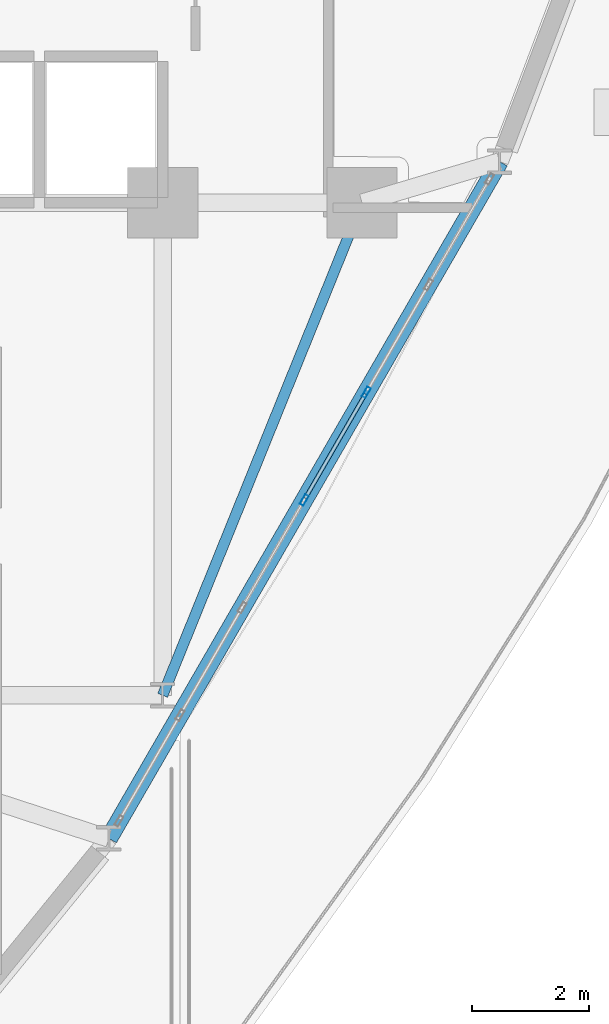
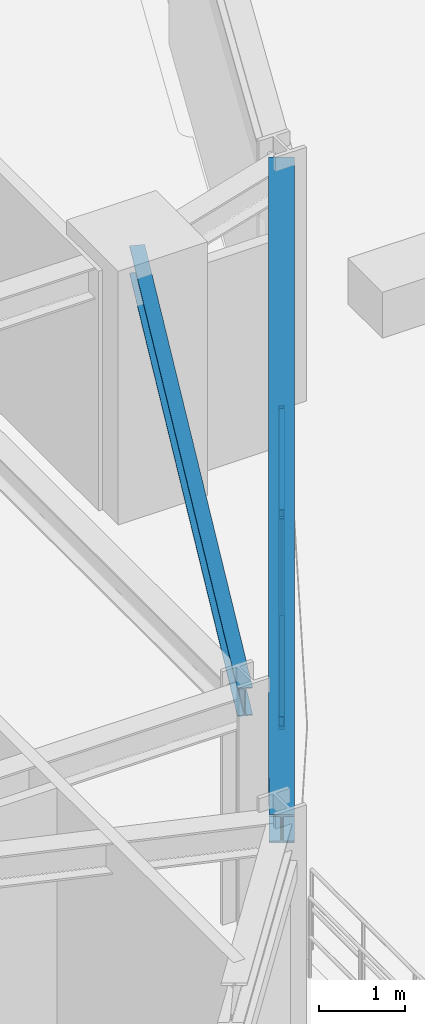
# One storey, part 7 of 18: 4 members, 2 beams, 1 element without a shape of its own.
"""IFC4 building model written with IfcOpenShell, lengths in metres."""

from ifc_helpers import new_model, si_unit, derived_unit, direction, frame, origin, origin_2d, place, context, subcontext, project, spatial, hollow_rectangle, i_section, extrude, source, transform, mapped, material, layer, layer_set, material_profile, profile_set, type_object, element, aggregate, save


model = new_model("IFC4")

# Units and contexts
model_context = context("Model", 3, precision=1e-05, world=origin(), true_north=direction((0.0, 1.0)))
body_context = subcontext(model_context, "Body", "Model", "MODEL_VIEW")
ifc_project = project(units=[si_unit("LENGTHUNIT", "METRE"), si_unit("AREAUNIT", "SQUARE_METRE"), si_unit("VOLUMEUNIT", "CUBIC_METRE"), si_unit("PLANEANGLEUNIT", "RADIAN"), si_unit("MASSUNIT", "GRAM", prefix="KILO"), derived_unit("THERMALTRANSMITTANCEUNIT", [(si_unit("POWERUNIT", "WATT"), 1), (si_unit("LENGTHUNIT", "METRE"), -2), (si_unit("THERMODYNAMICTEMPERATUREUNIT", "KELVIN"), -1)])], contexts=[model_context])

# Site, building, storey
site_placement = place(None, origin())
site = spatial("IfcSite", under=ifc_project, at=site_placement, CompositionType="ELEMENT")
building_placement = place(site_placement, origin())
building = spatial("IfcBuilding", under=site, at=building_placement, Name="Korsvarv Bourse and Concert Hall", CompositionType="ELEMENT")
storey_placement = place(building_placement, frame((0.0, 0.0, 136.199951171875)))
storey = spatial("IfcBuildingStorey", under=building, at=storey_placement, Name="L34", CompositionType="ELEMENT", Elevation=136.199951171875)

# Beams
ifc_material_1 = material(Name="Steel S355", Category="steel")
ifc_material_profile_1 = material_profile(ifc_material_1, i_section(OverallWidth=0.179931640625, OverallDepth=0.39990234375, WebThickness=0.008544921875, FlangeThickness=0.013427734375, FilletRadius=0.02099609375, at=origin_2d()), Name="IPE 400")
ifc_profile_set_1 = profile_set([ifc_material_profile_1], Name="Steel S355")
beam_type_1 = type_object("IfcBeamType", Name="BM-IPE400", PredefinedType="JOIST", material=ifc_profile_set_1)
shared_shape_1 = source(origin(), body_context, "Body", "SweptSolid", [
    extrude(i_section(OverallWidth=0.179931640625, OverallDepth=0.39990234375, WebThickness=0.008544921875, FlangeThickness=0.013427734375, FilletRadius=0.02099609375, at=origin_2d()), origin(), (0.0, 0.0, 1.0), 9.06201171875),
])
beam_1_placement = place(storey_placement, frame((47.800048828125, 32.39990234375, 3.199951171875), z_axis=(-0.375210394783, -0.926939674222, 0.0), x_axis=(0.926939674222, -0.375210394783, 0.0)))
element("IfcBeam", 1, at=beam_1_placement, inside=storey, type_object=beam_type_1, Name="L34 beam J-05", PredefinedType="JOIST", context=body_context, shape_type="MappedRepresentation", body=[
    mapped(shared_shape_1, transform((0.0, 0.0, 0.0), scale=1.0)),
])
ifc_material_profile_2 = material_profile(ifc_material_1, i_section(OverallWidth=0.300048828125, OverallDepth=0.39990234375, WebThickness=0.013427734375, FlangeThickness=0.02392578125, FilletRadius=0.02099609375, at=origin_2d()), Name="HEB 400")
ifc_profile_set_2 = profile_set([ifc_material_profile_2], Name="Steel S355")
beam_type_2 = type_object("IfcBeamType", Name="BM-HEB400", PredefinedType="SPANDREL", material=ifc_profile_set_2)
shared_shape_2 = source(origin(), body_context, "Body", "SweptSolid", [
    extrude(i_section(OverallWidth=0.300048828125, OverallDepth=0.39990234375, WebThickness=0.013427734375, FlangeThickness=0.02392578125, FilletRadius=0.02099609375, at=origin_2d()), origin(), (0.0, 0.0, 1.0), 13.327392578125),
])
beam_2_placement = place(storey_placement, frame((43.482421875, 21.560546875, 3.199951171875), z_axis=(0.499988853166, 0.866031839316, 0.0), x_axis=(-0.866031839316, 0.499988853166, 0.0)))
element("IfcBeam", 2, at=beam_2_placement, inside=storey, type_object=beam_type_2, Name="L34 beam B-09", PredefinedType="SPANDREL", context=body_context, shape_type="MappedRepresentation", body=[
    mapped(shared_shape_2, transform((0.0, 0.0, 0.0), scale=1.0)),
])

# Curtain wall, members
ifc_material_2 = material(Name="Anodised aluminium and triple low-E glazing", Category="glass")
ifc_layer = layer(ifc_material_2, 0.2099609375)
ifc_layer_set = layer_set([ifc_layer], Name="Anodised aluminium and triple low-E glazing")
curtain_wall_type = type_object("IfcCurtainWallType", Name="CW-SYS-2", PredefinedType="NOTDEFINED", material=ifc_layer_set)
curtain_wall_placement = place(storey_placement, origin())
curtain_wall = element("IfcCurtainWall", 3, at=curtain_wall_placement, inside=storey, type_object=curtain_wall_type, Name="L34 CW2 curtain wall CW-L34-F11", PredefinedType="NOTDEFINED")
ifc_material_3 = material(Name="Extruded aluminium EN AW-6063 T66", Category="aluminium")
ifc_material_profile_3 = material_profile(ifc_material_3, hollow_rectangle(XDim=0.070068359375, YDim=0.18994140625, WallThickness=0.0048828125, at=origin_2d()), Name="ALU-M 70x190")
ifc_profile_set_3 = profile_set([ifc_material_profile_3], Name="Extruded aluminium EN AW-6063 T66")
member_type_1 = type_object("IfcMemberType", Name="CWM-190", PredefinedType="MULLION", material=ifc_profile_set_3)
shared_shape_3 = source(origin(), body_context, "Body", "SweptSolid", [
    extrude(hollow_rectangle(XDim=0.070068359375, YDim=0.18994140625, WallThickness=0.0048828125, at=origin_2d()), origin(), (0.0, 0.0, 1.0), 3.0),
])
member_1_placement = place(storey_placement, frame((46.814208984375, 27.33154296875, 0.0), z_axis=(0.0, 0.0, 1.0), x_axis=(-0.866025213439, 0.500000329688, 0.0)))
member_1 = element("IfcMember", 4, at=member_1_placement, type_object=member_type_1, Name="CW2 mullion 4", PredefinedType="MULLION", context=body_context, shape_type="MappedRepresentation", body=[
    mapped(shared_shape_3, transform((0.0, 0.0, 0.0), scale=1.0)),
])
member_2_placement = place(storey_placement, frame((47.873291015625, 29.166015625, 0.0), z_axis=(0.0, 0.0, 1.0), x_axis=(-0.866025213439, 0.500000329688, 0.0)))
member_2 = element("IfcMember", 5, at=member_2_placement, type_object=member_type_1, Name="CW2 mullion 5", PredefinedType="MULLION", context=body_context, shape_type="MappedRepresentation", body=[
    mapped(shared_shape_3, transform((0.0, 0.0, 0.0), scale=1.0)),
])
ifc_material_profile_4 = material_profile(ifc_material_3, hollow_rectangle(XDim=0.06494140625, YDim=0.139892578125, WallThickness=0.00390625, at=origin_2d()), Name="ALU-T 65x140")
ifc_profile_set_4 = profile_set([ifc_material_profile_4], Name="Extruded aluminium EN AW-6063 T66")
member_type_2 = type_object("IfcMemberType", Name="CWT-140", PredefinedType="USERDEFINED", material=ifc_profile_set_4)
shared_shape_4 = source(origin(), body_context, "Body", "SweptSolid", [
    extrude(hollow_rectangle(XDim=0.06494140625, YDim=0.139892578125, WallThickness=0.00390625, at=origin_2d()), origin(), (0.0, 0.0, 1.0), 2.04833984375),
])
member_3_placement = place(storey_placement, frame((46.831787109375, 27.36181640625, 0.032470703125), z_axis=(0.499997581422, 0.866026800146, 0.0), x_axis=(-0.866026800146, 0.499997581422, 0.0)))
member_3 = element("IfcMember", 6, at=member_3_placement, type_object=member_type_2, Name="CW2 transom 4.1", ObjectType="TRANSOM", PredefinedType="USERDEFINED", context=body_context, shape_type="MappedRepresentation", body=[
    mapped(shared_shape_4, transform((0.0, 0.0, 0.0), scale=1.0)),
])
member_4_placement = place(storey_placement, frame((46.831787109375, 27.36181640625, 2.967529296875), z_axis=(0.499997581422, 0.866026800146, 0.0), x_axis=(-0.866026800146, 0.499997581422, 0.0)))
member_4 = element("IfcMember", 7, at=member_4_placement, type_object=member_type_2, Name="CW2 transom 4.2", ObjectType="TRANSOM", PredefinedType="USERDEFINED", context=body_context, shape_type="MappedRepresentation", body=[
    mapped(shared_shape_4, transform((0.0, 0.0, 0.0), scale=1.0)),
])
aggregate(curtain_wall, [member_1, member_2, member_3, member_4])

save(model, "model.ifc")
